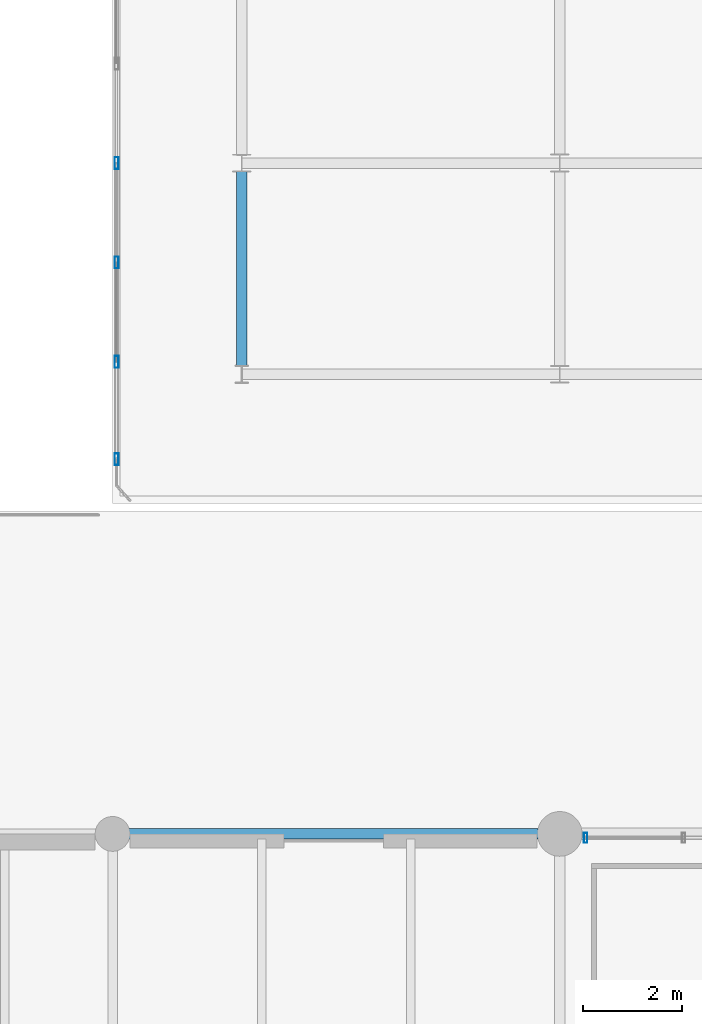
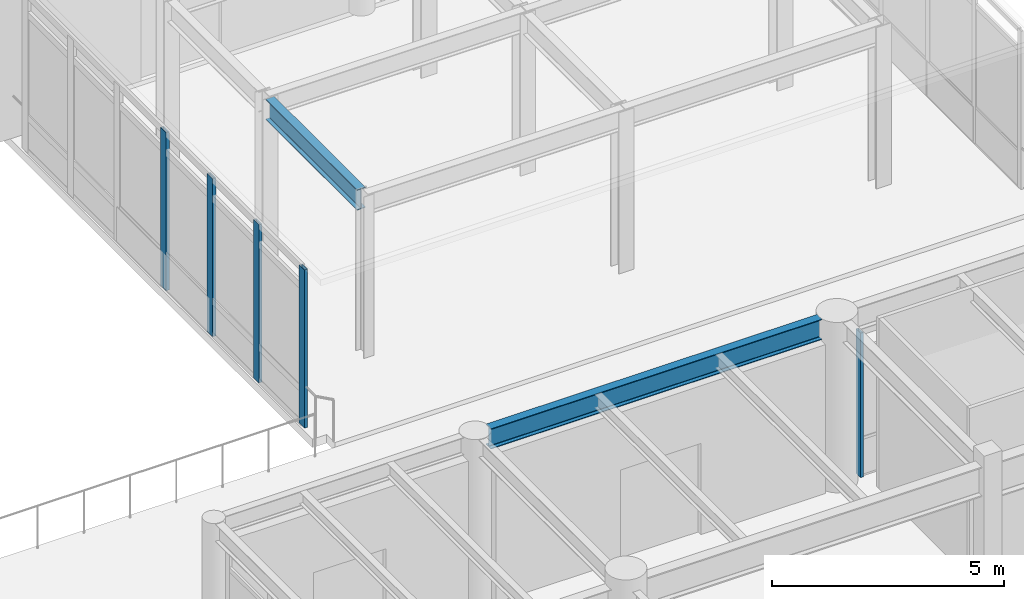
# One storey, part 57 of 200: 5 members, 2 beams, 2 elements without a shape of their own.
"""IFC4 building model written with IfcOpenShell, lengths in metres."""

from ifc_helpers import new_model, si_unit, direction, frame, origin, origin_2d, place, context, subcontext, project, spatial, hollow_rectangle, i_section, extrude, material, material_profile, profile_set, type_object, element, aggregate, save


model = new_model("IFC4")

# Units and contexts
model_context = context("Model", 3, precision=1e-05, world=origin(), true_north=direction((0.0, 1.0)))
body_context = subcontext(model_context, "Body", "Model", "MODEL_VIEW")
ifc_project = project(units=[si_unit("LENGTHUNIT", "METRE"), si_unit("AREAUNIT", "SQUARE_METRE"), si_unit("VOLUMEUNIT", "CUBIC_METRE"), si_unit("PLANEANGLEUNIT", "RADIAN"), si_unit("MASSUNIT", "GRAM", prefix="KILO"), si_unit("THERMODYNAMICTEMPERATUREUNIT", "KELVIN"), si_unit("POWERUNIT", "WATT")], contexts=[model_context])

# Site, building, storey
site_placement = place(None, origin())
site = spatial("IfcSite", under=ifc_project, at=site_placement, CompositionType="ELEMENT")
building_placement = place(site_placement, origin())
building = spatial("IfcBuilding", under=site, at=building_placement, Name="Tepalcoro Natatorium and Aquatics Centre", CompositionType="ELEMENT")
storey_placement = place(building_placement, frame((0.0, 0.0, 5.39990234375)))
storey = spatial("IfcBuildingStorey", under=building, at=storey_placement, Name="L01", CompositionType="ELEMENT", Elevation=5.39990234375)

# Beam
ifc_material_1 = material(Name="Steel ASTM A992 Grade 50 (Fy 345 MPa)", Category="steel")
ifc_material_profile_1 = material_profile(ifc_material_1, i_section(OverallWidth=0.2109375, OverallDepth=0.5380859375, WebThickness=0.011962890625, FlangeThickness=0.01904296875, FilletRadius=0.013916015625, at=origin_2d()), Name="W21X73")
ifc_profile_set_1 = profile_set([ifc_material_profile_1], Name="Steel ASTM A992 Grade 50 (Fy 345 MPa)")
beam_type_1 = type_object("IfcBeamType", Name="BM_LINK_LB1", PredefinedType="BEAM", material=ifc_profile_set_1)
beam_1_placement = place(storey_placement, frame((55.60009765625, 74.906982421875, 3.9560546875), z_axis=(0.0, 1.0, 0.0), x_axis=(-1.0, 0.0, 0.0)))
element("IfcBeam", 1, at=beam_1_placement, inside=storey, type_object=beam_type_1, Name="Seismic passage link beam LB1 (V6NW L01)", PredefinedType="BEAM", context=body_context, shape_type="SweptSolid", body=[
    extrude(i_section(OverallWidth=0.2109375, OverallDepth=0.5380859375, WebThickness=0.011962890625, FlangeThickness=0.01904296875, FilletRadius=0.013916015625, at=origin_2d()), origin(), (0.0, 0.0, 1.0), 3.93603515625),
])

# Curtain wall, member
ifc_material_2 = material(Name="Bronze-Anodised Extruded Aluminium Alloy EN AW-6063 T6", Category="aluminium")
curtain_wall_type_1 = type_object("IfcCurtainWallType", Name="CW_LEAN_T2_NS", PredefinedType="USERDEFINED", material=ifc_material_2)
curtain_wall_1_placement = place(storey_placement, origin())
curtain_wall_1 = element("IfcCurtainWall", 2, at=curtain_wall_1_placement, inside=storey, type_object=curtain_wall_type_1, Name="V1 L01 N Unitised Curtain Wall Bay 3", ObjectType="FACETED SOLAR GLAZING", PredefinedType="USERDEFINED")
ifc_material_profile_2 = material_profile(ifc_material_2, hollow_rectangle(XDim=0.070068359375, YDim=0.199951171875, WallThickness=0.0048828125, at=origin_2d()), Name="AL70X200X5")
ifc_profile_set_2 = profile_set([ifc_material_profile_2], Name="Bronze-Anodised Extruded Aluminium Alloy EN AW-6063 T6")
member_type_1 = type_object("IfcMemberType", Name="CW_MUL_70x200", PredefinedType="MULLION", material=ifc_profile_set_2)
member_1_placement = place(storey_placement, frame((62.52001953125, 65.419921875, 0.02001953125), z_axis=(0.0, 0.0, 1.0), x_axis=(1.0, 0.0, 0.0)))
member_1 = element("IfcMember", 3, at=member_1_placement, type_object=member_type_1, Name="CW_LEAN_T2_NS Curtain Wall Mullion", PredefinedType="MULLION", context=body_context, shape_type="SweptSolid", body=[
    extrude(hollow_rectangle(XDim=0.070068359375, YDim=0.199951171875, WallThickness=0.0048828125, at=origin_2d()), origin(), (0.0, 0.0, 1.0), 3.798095703125),
])
aggregate(curtain_wall_1, [member_1])

# Curtain wall, members
curtain_wall_type_2 = type_object("IfcCurtainWallType", Name="CW_LINK_150", PredefinedType="USERDEFINED", material=ifc_material_2)
curtain_wall_2_placement = place(storey_placement, origin())
curtain_wall_2 = element("IfcCurtainWall", 4, at=curtain_wall_2_placement, inside=storey, type_object=curtain_wall_type_2, Name="West Court Swimmers Arcade Glazed Wall W L01", ObjectType="UNITISED STOREFRONT", PredefinedType="USERDEFINED")
ifc_material_profile_3 = material_profile(ifc_material_2, hollow_rectangle(XDim=0.080078125, YDim=0.239990234375, WallThickness=0.0048828125, at=origin_2d()), Name="AL80X240X5")
ifc_profile_set_3 = profile_set([ifc_material_profile_3], Name="Bronze-Anodised Extruded Aluminium Alloy EN AW-6063 T6")
member_type_2 = type_object("IfcMemberType", Name="CW_MUL_80x240", PredefinedType="MULLION", material=ifc_profile_set_3)
member_2_placement = place(storey_placement, frame((53.080078125, 73.0400390625, 0.02001953125), z_axis=(0.0, 0.0, 1.0), x_axis=(1.0, 0.0, 0.0)))
member_2 = element("IfcMember", 5, at=member_2_placement, type_object=member_type_2, Name="CW_LINK_150 Curtain Wall Mullion", PredefinedType="MULLION", context=body_context, shape_type="SweptSolid", body=[
    extrude(hollow_rectangle(XDim=0.080078125, YDim=0.239990234375, WallThickness=0.0048828125, at=origin_2d()), origin(), (0.0, 0.0, 1.0), 4.16015625),
])
member_3_placement = place(storey_placement, frame((53.080078125, 75.0, 0.02001953125), z_axis=(0.0, 0.0, 1.0), x_axis=(1.0, 0.0, 0.0)))
member_3 = element("IfcMember", 6, at=member_3_placement, type_object=member_type_2, Name="CW_LINK_150 Curtain Wall Mullion", PredefinedType="MULLION", context=body_context, shape_type="SweptSolid", body=[
    extrude(hollow_rectangle(XDim=0.080078125, YDim=0.239990234375, WallThickness=0.0048828125, at=origin_2d()), origin(), (0.0, 0.0, 1.0), 4.16015625),
])
member_4_placement = place(storey_placement, frame((53.080078125, 77.0, 0.02001953125), z_axis=(0.0, 0.0, 1.0), x_axis=(1.0, 0.0, 0.0)))
member_4 = element("IfcMember", 7, at=member_4_placement, type_object=member_type_2, Name="CW_LINK_150 Curtain Wall Mullion", PredefinedType="MULLION", context=body_context, shape_type="SweptSolid", body=[
    extrude(hollow_rectangle(XDim=0.080078125, YDim=0.239990234375, WallThickness=0.0048828125, at=origin_2d()), origin(), (0.0, 0.0, 1.0), 4.16015625),
])
member_5_placement = place(storey_placement, frame((53.080078125, 79.0, 0.02001953125), z_axis=(0.0, 0.0, 1.0), x_axis=(1.0, 0.0, 0.0)))
member_5 = element("IfcMember", 8, at=member_5_placement, type_object=member_type_2, Name="CW_LINK_150 Curtain Wall Mullion", PredefinedType="MULLION", context=body_context, shape_type="SweptSolid", body=[
    extrude(hollow_rectangle(XDim=0.080078125, YDim=0.239990234375, WallThickness=0.0048828125, at=origin_2d()), origin(), (0.0, 0.0, 1.0), 4.16015625),
])
aggregate(curtain_wall_2, [member_2, member_3, member_4, member_5])

# Beam
ifc_material_profile_4 = material_profile(ifc_material_1, i_section(OverallWidth=0.2099609375, OverallDepth=0.535888671875, WebThickness=0.010986328125, FlangeThickness=0.01708984375, FilletRadius=0.013916015625, at=origin_2d()), Name="W21X68")
ifc_profile_set_4 = profile_set([ifc_material_profile_4], Name="Steel ASTM A992 Grade 50 (Fy 345 MPa)")
beam_type_2 = type_object("IfcBeamType", Name="SP_W21x68", PredefinedType="SPANDREL", material=ifc_profile_set_4)
beam_2_placement = place(storey_placement, frame((53.3349609375, 65.5, 4.197021484375), z_axis=(1.0, 0.0, 0.0), x_axis=(0.0, 1.0, 0.0)))
element("IfcBeam", 9, at=beam_2_placement, inside=storey, type_object=beam_type_2, Name="V1 L01 Grid Girder X", PredefinedType="SPANDREL", context=body_context, shape_type="SweptSolid", body=[
    extrude(i_section(OverallWidth=0.2099609375, OverallDepth=0.535888671875, WebThickness=0.010986328125, FlangeThickness=0.01708984375, FilletRadius=0.013916015625, at=origin_2d()), origin(), (0.0, 0.0, 1.0), 8.22998046875),
])

save(model, "model.ifc")
